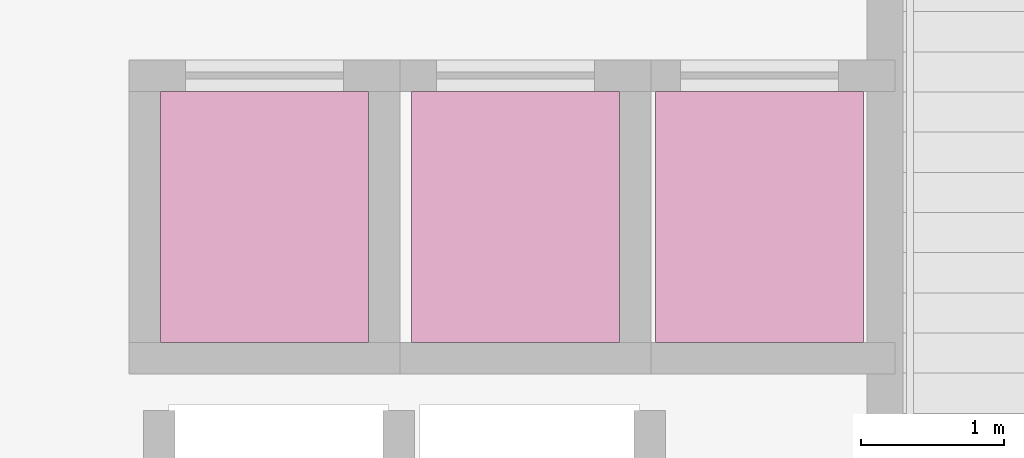
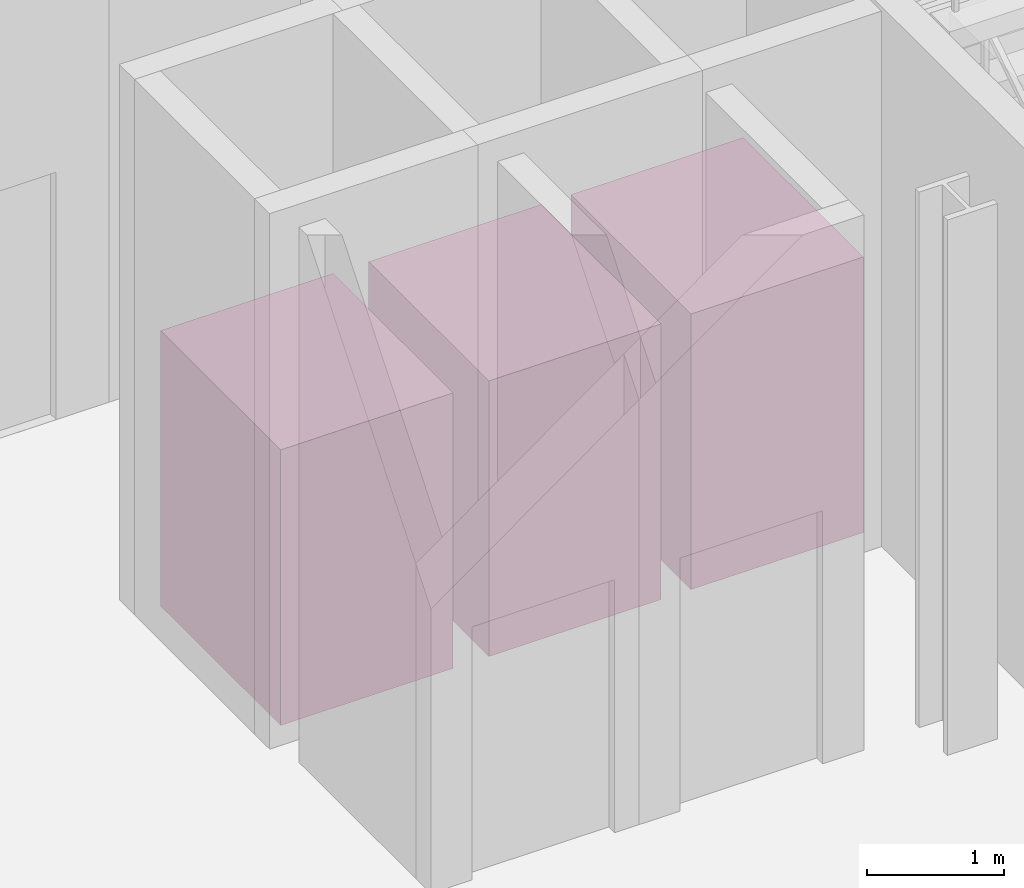
# One storey, part 13 of 13: 3 transport elements.
"""IFC4 building model written with IfcOpenShell, lengths in metres."""

from ifc_helpers import new_model, si_unit, direction, frame, origin, origin_2d, place, context, subcontext, project, spatial, rectangle, extrude, source, transform, mapped, material, type_object, element, save


model = new_model("IFC4")

# Units and contexts
model_context = context("Model", 3, precision=1e-05, world=origin(), true_north=direction((0.0, 1.0)))
body_context = subcontext(model_context, "Body", "Model", "MODEL_VIEW")
ifc_project = project(units=[si_unit("LENGTHUNIT", "METRE"), si_unit("AREAUNIT", "SQUARE_METRE"), si_unit("VOLUMEUNIT", "CUBIC_METRE"), si_unit("PLANEANGLEUNIT", "RADIAN"), si_unit("MASSUNIT", "GRAM", prefix="KILO")], contexts=[model_context])

# Site, building, storey
site_placement = place(None, origin())
site = spatial("IfcSite", under=ifc_project, at=site_placement, CompositionType="ELEMENT")
building_placement = place(site_placement, origin())
building = spatial("IfcBuilding", under=site, at=building_placement, Name="Vardaveli Station Tower", CompositionType="ELEMENT")
storey_placement = place(building_placement, frame((0.0, 0.0, 98.699951171875)))
storey = spatial("IfcBuildingStorey", under=building, at=storey_placement, Name="L25", CompositionType="ELEMENT", Elevation=98.699951171875)

# Transport elements
ifc_material = material(Name="Brushed stainless steel elevator cab", Category="steel")
transport_element_type = type_object("IfcTransportElementType", Name="LIFT-PASS-1600", PredefinedType="ELEVATOR", material=ifc_material)
shared_shape = source(origin(), body_context, "Body", "SweptSolid", [
    extrude(rectangle(XDim=1.449951171875, YDim=1.75, at=origin_2d()), origin(), (0.0, 0.0, 1.0), 2.449951171875),
])
for number, where, z_axis, x_axis, name in (
    (1, (25.14990234375, 34.050048828125, 0.0), (0.0, 0.0, 1.0), (1.0, 0.0, 0.0), "Lift HL2-01"),
    (2, (26.89990234375, 34.050048828125, 0.0), (0.0, 0.0, 1.0), (1.0, 0.0, 0.0), "Lift HL2-02"),
    (3, (28.60009765625, 34.050048828125, 0.0), (0.0, 0.0, 1.0), (1.0, 0.0, 0.0), "Lift HL2-03"),
):
    element("IfcTransportElement", number, at=place(storey_placement, frame(where, z_axis=z_axis, x_axis=x_axis)), inside=storey, type_object=transport_element_type, Name=name, PredefinedType="ELEVATOR", context=body_context, shape_type="MappedRepresentation", body=[
        mapped(shared_shape, transform((0.0, 0.0, 0.0), scale=1.0)),
    ])

save(model, "model.ifc")
